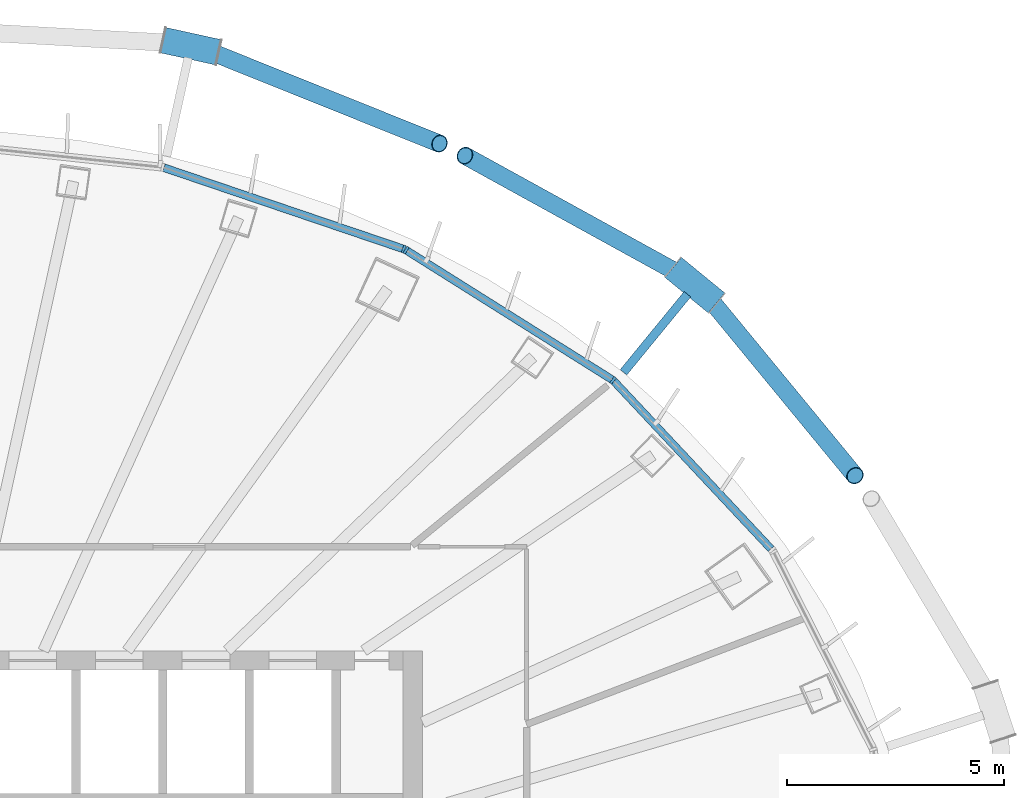
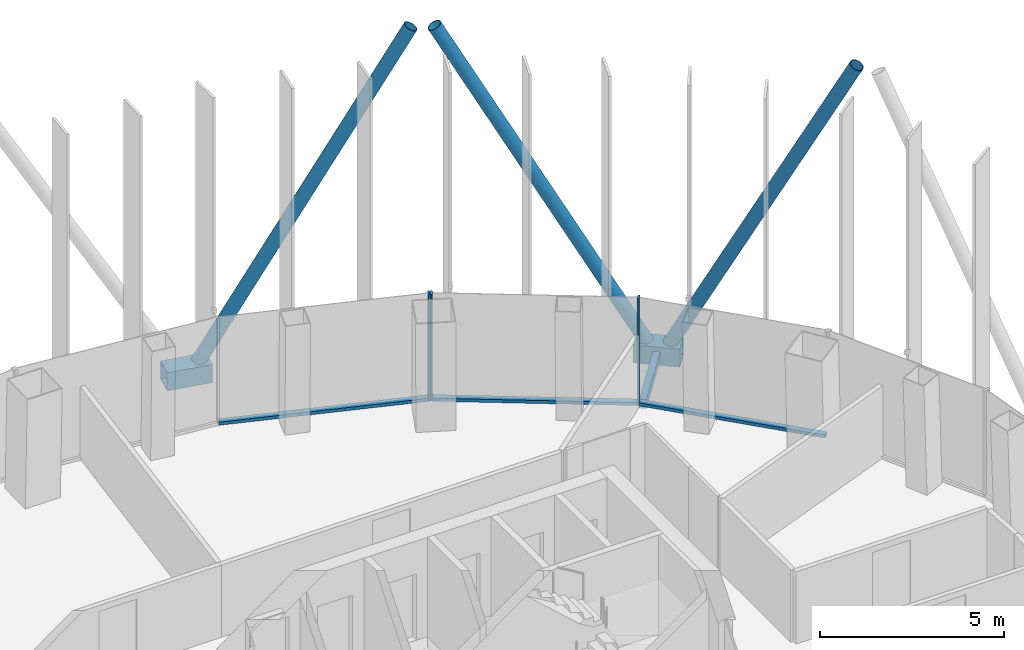
# One storey, part 8 of 19: 12 members, 2 elements without a shape of their own.
"""IFC4 building model written with IfcOpenShell, lengths in metres."""

from ifc_helpers import new_model, si_unit, direction, frame, origin, origin_2d, place, context, subcontext, project, spatial, rectangle, hollow_rectangle, hollow_circle, extrude, material, layer, layer_set, material_profile, profile_set, type_object, element, aggregate, save


model = new_model("IFC4")

# Units and contexts
model_context = context("Model", 3, precision=1e-05, world=origin(), true_north=direction((0.0, 1.0)))
body_context = subcontext(model_context, "Body", "Model", "MODEL_VIEW")
ifc_project = project(units=[si_unit("LENGTHUNIT", "METRE"), si_unit("AREAUNIT", "SQUARE_METRE"), si_unit("VOLUMEUNIT", "CUBIC_METRE"), si_unit("PLANEANGLEUNIT", "RADIAN"), si_unit("MASSUNIT", "GRAM", prefix="KILO")], contexts=[model_context])

# Site, building, storey
site_placement = place(None, origin())
site = spatial("IfcSite", under=ifc_project, at=site_placement, CompositionType="ELEMENT")
building_placement = place(site_placement, origin())
building = spatial("IfcBuilding", under=site, at=building_placement, Name="Siaravel Broadcast Tower", CompositionType="ELEMENT")
storey_placement = place(building_placement, frame((0.0, 0.0, 179.300048828125)))
storey = spatial("IfcBuildingStorey", under=building, at=storey_placement, Name="L43", CompositionType="ELEMENT", Elevation=179.300048828125)

# Curtain wall, members
ifc_material_1 = material(Name="Aluminium 6063-T6", Category="aluminium")
ifc_layer = layer(ifc_material_1, 0.179931640625)
ifc_layer_set = layer_set([ifc_layer], Name="Aluminium 6063-T6")
curtain_wall_type = type_object("IfcCurtainWallType", Name="Unitised curtain wall, zone 3", PredefinedType="NOTDEFINED", material=ifc_layer_set)
curtain_wall_1_placement = place(storey_placement, origin())
curtain_wall_1 = element("IfcCurtainWall", 1, at=curtain_wall_1_placement, inside=storey, type_object=curtain_wall_type, Name="L43 Unitised curtain wall, zone 3 02", PredefinedType="NOTDEFINED")
ifc_material_profile_1 = material_profile(ifc_material_1, rectangle(XDim=0.179931640625, YDim=0.06005859375, at=origin_2d()))
ifc_profile_set_1 = profile_set([ifc_material_profile_1], Name="Aluminium 6063-T6")
member_type_1 = type_object("IfcMemberType", Name="CW-Z3 mullion", PredefinedType="MULLION", material=ifc_profile_set_1)
member_1_placement = place(storey_placement, frame((16.397216796875, 13.44384765625, 0.0), z_axis=(0.0, 0.0, 1.0), x_axis=(-0.636218366, -0.771509035, 0.0)))
member_1 = element("IfcMember", 2, at=member_1_placement, type_object=member_type_1, Name="CW-Z3 mullion 2", PredefinedType="MULLION", context=body_context, shape_type="SweptSolid", body=[
    extrude(rectangle(XDim=0.179931640625, YDim=0.06005859375, at=origin_2d()), origin(), (0.0, 0.0, 1.0), 3.550048828125),
])
member_2_placement = place(storey_placement, frame((11.618896484375, 16.447265625, 0.0), z_axis=(0.0, 0.0, 1.0), x_axis=(-0.532148919, -0.846650771, 0.0)))
member_2 = element("IfcMember", 3, at=member_2_placement, type_object=member_type_1, Name="CW-Z3 mullion 3", PredefinedType="MULLION", context=body_context, shape_type="SweptSolid", body=[
    extrude(rectangle(XDim=0.179931640625, YDim=0.06005859375, at=origin_2d()), origin(), (0.0, 0.0, 1.0), 3.550048828125),
])

# Curtain wall, member
curtain_wall_2_placement = place(storey_placement, origin())
curtain_wall_2 = element("IfcCurtainWall", 4, at=curtain_wall_2_placement, inside=storey, type_object=curtain_wall_type, Name="L43 Unitised curtain wall, zone 3 03", PredefinedType="NOTDEFINED")
member_3_placement = place(storey_placement, frame((11.565185546875, 16.472900390625, 0.0), z_axis=(0.0, 0.0, 1.0), x_axis=(-0.321300369, -0.946977335, 0.0)))
member_3 = element("IfcMember", 5, at=member_3_placement, type_object=member_type_1, Name="CW-Z3 mullion 1", PredefinedType="MULLION", context=body_context, shape_type="SweptSolid", body=[
    extrude(rectangle(XDim=0.179931640625, YDim=0.06005859375, at=origin_2d()), origin(), (0.0, 0.0, 1.0), 3.550048828125),
])

# Member
ifc_material_profile_2 = material_profile(ifc_material_1, rectangle(XDim=0.179931640625, YDim=0.10009765625, at=origin_2d()))
ifc_profile_set_2 = profile_set([ifc_material_profile_2], Name="Aluminium 6063-T6")
member_type_2 = type_object("IfcMemberType", Name="CW-Z3 transom", PredefinedType="USERDEFINED", material=ifc_profile_set_2)
member_4_placement = place(storey_placement, frame((20.043701171875, 9.551513671875, 0.050048828125), z_axis=(-0.683668525, 0.729792674, 0.0), x_axis=(-0.729792674, -0.683668525, 0.0)))
member_4 = element("IfcMember", 6, at=member_4_placement, type_object=member_type_2, Name="CW-Z3 transom 1", ObjectType="TRANSOM", PredefinedType="USERDEFINED", context=body_context, shape_type="SweptSolid", body=[
    extrude(rectangle(XDim=0.179931640625, YDim=0.10009765625, at=origin_2d()), origin(), (0.0, 0.0, 1.0), 5.3037109375),
])

member_5_placement = place(storey_placement, frame((16.371826171875, 13.4599609375, 0.050048828125), z_axis=(-0.846649494, 0.53215095, 0.0), x_axis=(-0.53215095, -0.846649494, 0.0)))
member_5 = element("IfcMember", 7, at=member_5_placement, type_object=member_type_2, Name="CW-Z3 transom 2", ObjectType="TRANSOM", PredefinedType="USERDEFINED", context=body_context, shape_type="SweptSolid", body=[
    extrude(rectangle(XDim=0.179931640625, YDim=0.10009765625, at=origin_2d()), origin(), (0.0, 0.0, 1.0), 5.583740234375),
])

aggregate(curtain_wall_1, [member_1, member_2, member_4, member_5])

member_6_placement = place(storey_placement, frame((11.536865234375, 16.482421875, 0.050048828125), z_axis=(-0.946978016, 0.321298361, 0.0), x_axis=(-0.321298361, -0.946978016, 0.0)))
member_6 = element("IfcMember", 8, at=member_6_placement, type_object=member_type_2, Name="CW-Z3 transom 1", ObjectType="TRANSOM", PredefinedType="USERDEFINED", context=body_context, shape_type="SweptSolid", body=[
    extrude(rectangle(XDim=0.179931640625, YDim=0.10009765625, at=origin_2d()), origin(), (0.0, 0.0, 1.0), 5.81591796875),
])

aggregate(curtain_wall_2, [member_3, member_6])

# Members
ifc_material_2 = material(Name="Steel S460", Category="steel")
ifc_material_profile_3 = material_profile(ifc_material_2, hollow_circle(Radius=0.203125, WallThickness=0.01611328125, at=origin_2d()))
ifc_profile_set_3 = profile_set([ifc_material_profile_3], Name="Steel S460")
member_type_3 = type_object("IfcMemberType", Name="Diagrid diagonal CHS 406.4x16", PredefinedType="BRACE", material=ifc_profile_set_3)
member_7_placement = place(storey_placement, frame((18.53515625, 15.43408203125, 0.070068359375), z_axis=(0.290339433, -0.353136644, 0.889380416), x_axis=(0.772444118, 0.635082738, 0.0)))
element("IfcMember", 9, at=member_7_placement, inside=storey, type_object=member_type_3, Name="Diagrid diagonal R18 station 09C", PredefinedType="BRACE", context=body_context, shape_type="SweptSolid", body=[
    extrude(hollow_circle(Radius=0.203125, WallThickness=0.01611328125, at=origin_2d()), origin(), (0.0, 0.0, 1.0), 11.873291015625),
])
member_8_placement = place(storey_placement, frame((18.034423828125, 15.84423828125, 0.070068359375), z_axis=(-0.420262562, 0.231470996, 0.877382788), x_axis=(-0.482441263, -0.875928323, 0.0)))
element("IfcMember", 10, at=member_8_placement, inside=storey, type_object=member_type_3, Name="Diagrid diagonal R18 station 09A", PredefinedType="BRACE", context=body_context, shape_type="SweptSolid", body=[
    extrude(hollow_circle(Radius=0.203125, WallThickness=0.01611328125, at=origin_2d()), origin(), (0.0, 0.0, 1.0), 12.03564453125),
])
member_9_placement = place(storey_placement, frame((6.963134765625, 21.086181640625, 0.070068359375), z_axis=(0.449666196, -0.180541969, 0.874759916), x_axis=(0.372592122, 0.92799521, 0.0)))
element("IfcMember", 11, at=member_9_placement, inside=storey, type_object=member_type_3, Name="Diagrid diagonal R18 station 15C", PredefinedType="BRACE", context=body_context, shape_type="SweptSolid", body=[
    extrude(hollow_circle(Radius=0.203125, WallThickness=0.01611328125, at=origin_2d()), origin(), (0.0, 0.0, 1.0), 12.07177734375),
])
ifc_material_profile_4 = material_profile(ifc_material_2, hollow_rectangle(XDim=0.60009765625, YDim=0.60009765625, WallThickness=0.031982421875, at=origin_2d()))
ifc_profile_set_4 = profile_set([ifc_material_profile_4], Name="Steel S460")
member_type_4 = type_object("IfcMemberType", Name="Diagrid node BOX 600x600x32", PredefinedType="USERDEFINED", material=ifc_profile_set_4)
for number, where, z_axis, x_axis, name in (
    (12, (18.78515625, 15.2294921875, -0.199951171875), (-0.773654476, 0.633607727, 0.0), (-0.633607727, -0.773654476, 0.0), "Diagrid node R18 station 09"),
    (13, (7.27880859375, 21.016845703125, -0.199951171875), (-0.976743379, 0.214411687, 0.0), (-0.214411687, -0.976743379, 0.0), "Diagrid node R18 station 15"),
):
    element("IfcMember", number, at=place(storey_placement, frame(where, z_axis=z_axis, x_axis=x_axis)), inside=storey, type_object=member_type_4, Name=name, ObjectType="DIAGRID NODE", PredefinedType="USERDEFINED", context=body_context, shape_type="SweptSolid", body=[
        extrude(hollow_rectangle(XDim=0.60009765625, YDim=0.60009765625, WallThickness=0.031982421875, at=origin_2d()), origin(), (0.0, 0.0, 1.0), 1.29345703125),
    ])
ifc_material_profile_5 = material_profile(ifc_material_2, hollow_rectangle(XDim=0.199951171875, YDim=0.300048828125, WallThickness=0.012451171875, at=origin_2d()))
ifc_profile_set_5 = profile_set([ifc_material_profile_5], Name="Steel S460")
member_type_5 = type_object("IfcMemberType", Name="Diagrid node arm RHS 300x200x12.5", PredefinedType="STRUT", material=ifc_profile_set_5)
member_10_placement = place(storey_placement, frame((16.63720703125, 13.627685546875, -0.199951171875), z_axis=(0.633648482, 0.773621097, 0.0), x_axis=(-0.773621097, 0.633648482, 0.0)))
element("IfcMember", 14, at=member_10_placement, inside=storey, type_object=member_type_5, Name="Node arm R18 station 09", PredefinedType="STRUT", context=body_context, shape_type="SweptSolid", body=[
    extrude(hollow_rectangle(XDim=0.199951171875, YDim=0.300048828125, WallThickness=0.012451171875, at=origin_2d()), origin(), (0.0, 0.0, 1.0), 2.330322265625),
])

save(model, "model.ifc")
